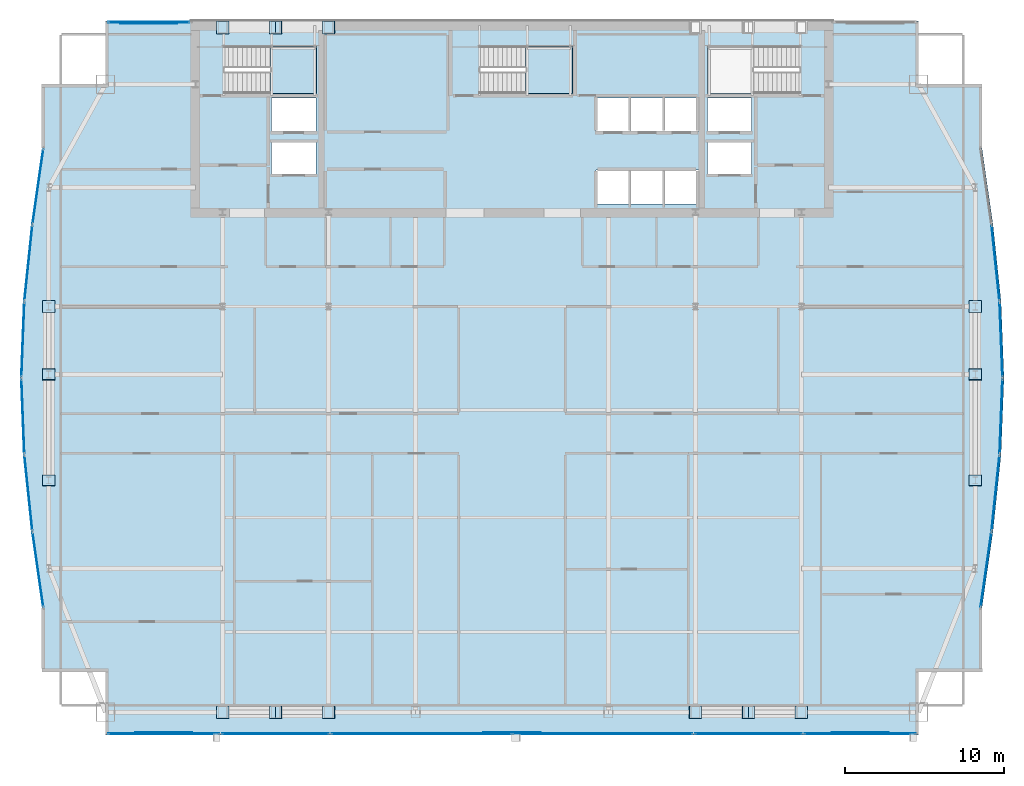
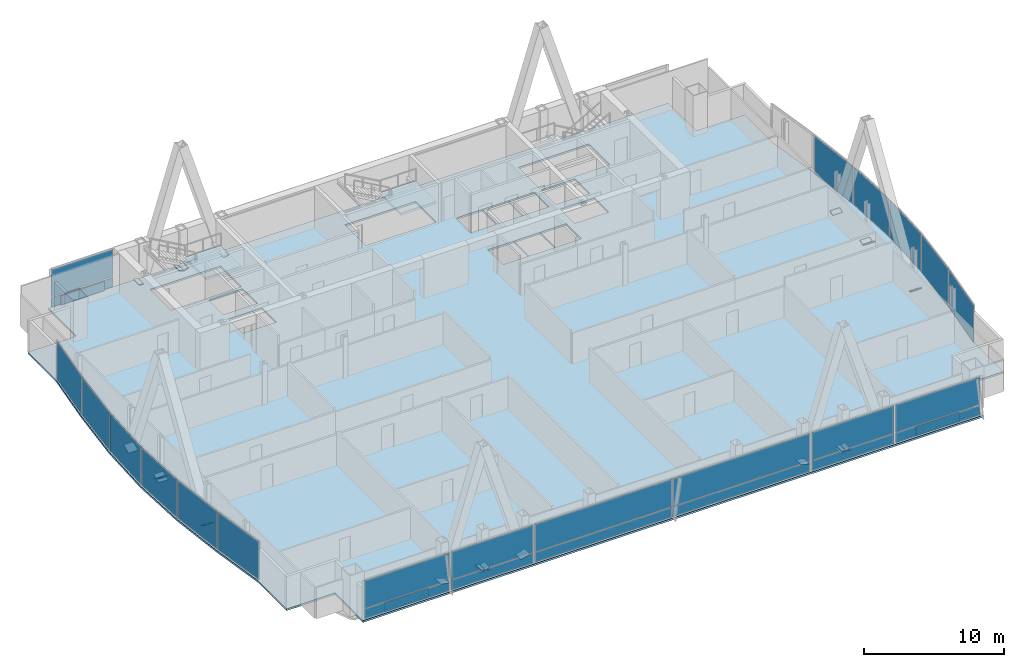
# One storey, part 26 of 32: 49 plates, 3 slabs, 19 elements without a shape of their own.
"""IFC4 building model written with IfcOpenShell, lengths in metres."""

from ifc_helpers import new_model, si_unit, direction, frame, origin, origin_2d, place, context, subcontext, project, spatial, polyline, rectangle, outline, extrude, material, layer, layer_set, type_object, element, aggregate, save


model = new_model("IFC4")

# Units and contexts
model_context = context("Model", 3, precision=1e-05, world=origin(), true_north=direction((0.0, 1.0)))
body_context = subcontext(model_context, "Body", "Model", "MODEL_VIEW")
ifc_project = project(units=[si_unit("LENGTHUNIT", "METRE"), si_unit("AREAUNIT", "SQUARE_METRE"), si_unit("VOLUMEUNIT", "CUBIC_METRE"), si_unit("PLANEANGLEUNIT", "RADIAN"), si_unit("MASSUNIT", "GRAM", prefix="KILO")], contexts=[model_context])

# Site, building, storey
site_placement = place(None, origin())
site = spatial("IfcSite", under=ifc_project, at=site_placement, CompositionType="ELEMENT")
building_placement = place(site_placement, origin())
building = spatial("IfcBuilding", under=site, at=building_placement, Name="Khoronbel Lancet Exchange", CompositionType="ELEMENT")
storey_placement = place(building_placement, frame((0.0, 0.0, 199.39990234375)))
storey = spatial("IfcBuildingStorey", under=building, at=storey_placement, Name="L50", CompositionType="ELEMENT", Elevation=199.39990234375)

# Curtain wall, plate
ifc_material_1 = material(Name="Low-E Solar Control Insulating Glass", Category="glass")
curtain_wall_type_1 = type_object("IfcCurtainWallType", Name="CW-4", PredefinedType="NOTDEFINED", material=ifc_material_1)
curtain_wall_1_placement = place(storey_placement, origin())
curtain_wall_1 = element("IfcCurtainWall", 1, at=curtain_wall_1_placement, inside=storey, type_object=curtain_wall_type_1, Name="Unitised curtain wall CW-L50-E05", PredefinedType="NOTDEFINED")
ifc_material_2 = material(Name="Bronze-Anodised Aluminium 6063-T6", Category="aluminium")
ifc_layer_1 = layer(ifc_material_2, 0.050048828125, Name="Bronze-Anodised Aluminium 6063-T6")
ifc_layer_set_1 = layer_set([ifc_layer_1], Name="Bronze-Anodised Aluminium 6063-T6")
plate_type_1 = type_object("IfcPlateType", Name="PLT-CSP1", PredefinedType="SHEET", material=ifc_layer_set_1)
plate_1_placement = place(storey_placement, frame((5.990234375, 23.958740234375, 0.085205078125), z_axis=(0.0, 0.0, 1.0), x_axis=(-0.104685856606, 0.994505340069, 0.0)))
plate_1 = element("IfcPlate", 2, at=plate_1_placement, type_object=plate_type_1, Name="CW4 panel 1.1", PredefinedType="CURTAIN_PANEL", context=body_context, shape_type="SweptSolid", body=[
    extrude(rectangle(XDim=4.70556640625, YDim=0.0380859375, at=origin_2d()), origin(), (0.0, 0.0, 1.0), 3.27001953125),
])
aggregate(curtain_wall_1, [plate_1])

curtain_wall_2_placement = place(storey_placement, origin())
curtain_wall_2 = element("IfcCurtainWall", 3, at=curtain_wall_2_placement, inside=storey, type_object=curtain_wall_type_1, Name="Unitised curtain wall CW-L50-E06", PredefinedType="NOTDEFINED")
plate_2_placement = place(storey_placement, frame((5.64306640625, 28.78662109375, 0.085205078125), z_axis=(0.0, 0.0, 1.0), x_axis=(-0.038485596441, 0.999259155008, 0.0)))
plate_2 = element("IfcPlate", 4, at=plate_2_placement, type_object=plate_type_1, Name="CW4 panel 1.1", PredefinedType="CURTAIN_PANEL", context=body_context, shape_type="SweptSolid", body=[
    extrude(rectangle(XDim=4.680419921875, YDim=0.0380859375, at=origin_2d()), origin(), (0.0, 0.0, 1.0), 3.27001953125),
])
aggregate(curtain_wall_2, [plate_2])

curtain_wall_3_placement = place(storey_placement, origin())
curtain_wall_3 = element("IfcCurtainWall", 5, at=curtain_wall_3_placement, inside=storey, type_object=curtain_wall_type_1, Name="Unitised curtain wall CW-L50-E07", PredefinedType="NOTDEFINED")
plate_3_placement = place(storey_placement, frame((5.64306640625, 33.61328125, 0.085205078125), z_axis=(0.0, 0.0, 1.0), x_axis=(0.038485596441, 0.999259155008, 0.0)))
plate_3 = element("IfcPlate", 6, at=plate_3_placement, type_object=plate_type_1, Name="CW4 panel 1.1", PredefinedType="CURTAIN_PANEL", context=body_context, shape_type="SweptSolid", body=[
    extrude(rectangle(XDim=4.680419921875, YDim=0.0380859375, at=origin_2d()), origin(), (0.0, 0.0, 1.0), 3.27001953125),
])
aggregate(curtain_wall_3, [plate_3])

curtain_wall_4_placement = place(storey_placement, origin())
curtain_wall_4 = element("IfcCurtainWall", 7, at=curtain_wall_4_placement, inside=storey, type_object=curtain_wall_type_1, Name="Unitised curtain wall CW-L50-E08", PredefinedType="NOTDEFINED")
plate_4_placement = place(storey_placement, frame((5.990234375, 38.441162109375, 0.085205078125), z_axis=(0.0, 0.0, 1.0), x_axis=(0.104685856606, 0.994505340069, 0.0)))
plate_4 = element("IfcPlate", 8, at=plate_4_placement, type_object=plate_type_1, Name="CW4 panel 1.1", PredefinedType="CURTAIN_PANEL", context=body_context, shape_type="SweptSolid", body=[
    extrude(rectangle(XDim=4.70556640625, YDim=0.0380859375, at=origin_2d()), origin(), (0.0, 0.0, 1.0), 3.27001953125),
])
aggregate(curtain_wall_4, [plate_4])

curtain_wall_type_2 = type_object("IfcCurtainWallType", Name="CW-3", PredefinedType="NOTDEFINED", material=ifc_material_1)
curtain_wall_5_placement = place(storey_placement, origin())
curtain_wall_5 = element("IfcCurtainWall", 9, at=curtain_wall_5_placement, inside=storey, type_object=curtain_wall_type_2, Name="Unitised curtain wall CW-L50-NWFLK", PredefinedType="NOTDEFINED")
plate_5_placement = place(storey_placement, frame((13.580078125, 53.550048828125, 0.05029296875), z_axis=(0.0, 0.0, 1.0), x_axis=(-1.0, 0.0, 0.0)))
plate_5 = element("IfcPlate", 10, at=plate_5_placement, type_object=plate_type_1, Name="Insulated bronze spandrel cassette CW-L50-NWFLK", PredefinedType="SHEET", context=body_context, shape_type="SweptSolid", body=[
    extrude(rectangle(XDim=3.60009765625, YDim=0.050048828125, at=origin_2d()), origin(), (0.0, 0.0, 1.0), 0.800048828125),
])

curtain_wall_6_placement = place(storey_placement, origin())
curtain_wall_6 = element("IfcCurtainWall", 11, at=curtain_wall_6_placement, inside=storey, type_object=curtain_wall_type_1, Name="Unitised curtain wall CW-L50-E18", PredefinedType="NOTDEFINED")
plate_6_placement = place(storey_placement, frame((66.90966796875, 38.441162109375, 0.085205078125), z_axis=(0.0, 0.0, 1.0), x_axis=(0.104685856606, -0.994505340069, 0.0)))
plate_6 = element("IfcPlate", 12, at=plate_6_placement, type_object=plate_type_1, Name="CW4 panel 1.1", PredefinedType="CURTAIN_PANEL", context=body_context, shape_type="SweptSolid", body=[
    extrude(rectangle(XDim=4.70556640625, YDim=0.0380859375, at=origin_2d()), origin(), (0.0, 0.0, 1.0), 3.27001953125),
])
aggregate(curtain_wall_6, [plate_6])

curtain_wall_7_placement = place(storey_placement, origin())
curtain_wall_7 = element("IfcCurtainWall", 13, at=curtain_wall_7_placement, inside=storey, type_object=curtain_wall_type_1, Name="Unitised curtain wall CW-L50-E19", PredefinedType="NOTDEFINED")
plate_7_placement = place(storey_placement, frame((67.2568359375, 33.61328125, 0.085205078125), z_axis=(0.0, 0.0, 1.0), x_axis=(0.038485596441, -0.999259155008, 0.0)))
plate_7 = element("IfcPlate", 14, at=plate_7_placement, type_object=plate_type_1, Name="CW4 panel 1.1", PredefinedType="CURTAIN_PANEL", context=body_context, shape_type="SweptSolid", body=[
    extrude(rectangle(XDim=4.680419921875, YDim=0.0380859375, at=origin_2d()), origin(), (0.0, 0.0, 1.0), 3.27001953125),
])
aggregate(curtain_wall_7, [plate_7])

curtain_wall_8_placement = place(storey_placement, origin())
curtain_wall_8 = element("IfcCurtainWall", 15, at=curtain_wall_8_placement, inside=storey, type_object=curtain_wall_type_1, Name="Unitised curtain wall CW-L50-E20", PredefinedType="NOTDEFINED")
plate_8_placement = place(storey_placement, frame((67.2568359375, 28.78662109375, 0.085205078125), z_axis=(0.0, 0.0, 1.0), x_axis=(-0.038485596441, -0.999259155008, 0.0)))
plate_8 = element("IfcPlate", 16, at=plate_8_placement, type_object=plate_type_1, Name="CW4 panel 1.1", PredefinedType="CURTAIN_PANEL", context=body_context, shape_type="SweptSolid", body=[
    extrude(rectangle(XDim=4.680419921875, YDim=0.0380859375, at=origin_2d()), origin(), (0.0, 0.0, 1.0), 3.27001953125),
])
aggregate(curtain_wall_8, [plate_8])

curtain_wall_9_placement = place(storey_placement, origin())
curtain_wall_9 = element("IfcCurtainWall", 17, at=curtain_wall_9_placement, inside=storey, type_object=curtain_wall_type_1, Name="Unitised curtain wall CW-L50-E21", PredefinedType="NOTDEFINED")
plate_9_placement = place(storey_placement, frame((66.90966796875, 23.958740234375, 0.085205078125), z_axis=(0.0, 0.0, 1.0), x_axis=(-0.104685856606, -0.994505340069, 0.0)))
plate_9 = element("IfcPlate", 18, at=plate_9_placement, type_object=plate_type_1, Name="CW4 panel 1.1", PredefinedType="CURTAIN_PANEL", context=body_context, shape_type="SweptSolid", body=[
    extrude(rectangle(XDim=4.70556640625, YDim=0.0380859375, at=origin_2d()), origin(), (0.0, 0.0, 1.0), 3.27001953125),
])
aggregate(curtain_wall_9, [plate_9])

curtain_wall_10_placement = place(storey_placement, origin())
curtain_wall_10 = element("IfcCurtainWall", 19, at=curtain_wall_10_placement, inside=storey, type_object=curtain_wall_type_2, Name="Unitised curtain wall CW-L50-SWV", PredefinedType="NOTDEFINED")
plate_10_placement = place(storey_placement, frame((14.52001953125, 8.85009765625, 0.05029296875), z_axis=(0.0, 0.0, 1.0), x_axis=(1.0, 0.0, 0.0)))
plate_10 = element("IfcPlate", 20, at=plate_10_placement, type_object=plate_type_1, Name="Insulated bronze spandrel cassette CW-L50-SWV", PredefinedType="SHEET", context=body_context, shape_type="SweptSolid", body=[
    extrude(rectangle(XDim=3.60009765625, YDim=0.050048828125, at=origin_2d()), origin(), (0.0, 0.0, 1.0), 0.800048828125),
])

# Curtain wall, plates
curtain_wall_11_placement = place(storey_placement, origin())
curtain_wall_11 = element("IfcCurtainWall", 21, at=curtain_wall_11_placement, inside=storey, type_object=curtain_wall_type_2, Name="Unitised curtain wall CW-L50-SWB", PredefinedType="NOTDEFINED")
plate_11_placement = place(storey_placement, frame((21.550048828125, 8.7900390625, 0.0849609375), z_axis=(0.0, 0.0, 1.0), x_axis=(1.0, 0.0, 0.0)))
plate_11 = element("IfcPlate", 22, at=plate_11_placement, type_object=plate_type_1, Name="CW3 panel 1.1", PredefinedType="CURTAIN_PANEL", context=body_context, shape_type="SweptSolid", body=[
    extrude(rectangle(XDim=6.72998046875, YDim=0.0380859375, at=origin_2d()), origin(), (0.0, 0.0, 1.0), 0.822509765625),
])
plate_12_placement = place(storey_placement, frame((21.550048828125, 8.7900390625, 0.99267578125), z_axis=(0.0, 0.0, 1.0), x_axis=(1.0, 0.0, 0.0)))
plate_12 = element("IfcPlate", 23, at=plate_12_placement, type_object=plate_type_1, Name="CW3 panel 1.2", PredefinedType="CURTAIN_PANEL", context=body_context, shape_type="SweptSolid", body=[
    extrude(rectangle(XDim=6.72998046875, YDim=0.0380859375, at=origin_2d()), origin(), (0.0, 0.0, 1.0), 2.362548828125),
])
aggregate(curtain_wall_11, [plate_11, plate_12])

# Curtain wall, plate
curtain_wall_12_placement = place(storey_placement, origin())
curtain_wall_12 = element("IfcCurtainWall", 24, at=curtain_wall_12_placement, inside=storey, type_object=curtain_wall_type_2, Name="Unitised curtain wall CW-L50-SCV", PredefinedType="NOTDEFINED")
plate_13_placement = place(storey_placement, frame((36.449951171875, 8.85009765625, 0.05029296875), z_axis=(0.0, 0.0, 1.0), x_axis=(1.0, 0.0, 0.0)))
plate_13 = element("IfcPlate", 25, at=plate_13_placement, type_object=plate_type_1, Name="Insulated bronze spandrel cassette CW-L50-SCV", PredefinedType="SHEET", context=body_context, shape_type="SweptSolid", body=[
    extrude(rectangle(XDim=3.60009765625, YDim=0.050048828125, at=origin_2d()), origin(), (0.0, 0.0, 1.0), 0.800048828125),
])

# Curtain wall, plates
curtain_wall_13_placement = place(storey_placement, origin())
curtain_wall_13 = element("IfcCurtainWall", 26, at=curtain_wall_13_placement, inside=storey, type_object=curtain_wall_type_2, Name="Unitised curtain wall CW-L50-SEB", PredefinedType="NOTDEFINED")
plate_14_placement = place(storey_placement, frame((51.35009765625, 8.7900390625, 0.0849609375), z_axis=(0.0, 0.0, 1.0), x_axis=(1.0, 0.0, 0.0)))
plate_14 = element("IfcPlate", 27, at=plate_14_placement, type_object=plate_type_1, Name="CW3 panel 1.1", PredefinedType="CURTAIN_PANEL", context=body_context, shape_type="SweptSolid", body=[
    extrude(rectangle(XDim=6.72998046875, YDim=0.0380859375, at=origin_2d()), origin(), (0.0, 0.0, 1.0), 0.822509765625),
])
plate_15_placement = place(storey_placement, frame((51.35009765625, 8.7900390625, 0.99267578125), z_axis=(0.0, 0.0, 1.0), x_axis=(1.0, 0.0, 0.0)))
plate_15 = element("IfcPlate", 28, at=plate_15_placement, type_object=plate_type_1, Name="CW3 panel 1.2", PredefinedType="CURTAIN_PANEL", context=body_context, shape_type="SweptSolid", body=[
    extrude(rectangle(XDim=6.72998046875, YDim=0.0380859375, at=origin_2d()), origin(), (0.0, 0.0, 1.0), 2.362548828125),
])
aggregate(curtain_wall_13, [plate_14, plate_15])

# Curtain wall, plate
curtain_wall_14_placement = place(storey_placement, origin())
curtain_wall_14 = element("IfcCurtainWall", 29, at=curtain_wall_14_placement, inside=storey, type_object=curtain_wall_type_2, Name="Unitised curtain wall CW-L50-SEV", PredefinedType="NOTDEFINED")
plate_16_placement = place(storey_placement, frame((58.3798828125, 8.85009765625, 0.05029296875), z_axis=(0.0, 0.0, 1.0), x_axis=(1.0, 0.0, 0.0)))
plate_16 = element("IfcPlate", 30, at=plate_16_placement, type_object=plate_type_1, Name="Insulated bronze spandrel cassette CW-L50-SEV", PredefinedType="SHEET", context=body_context, shape_type="SweptSolid", body=[
    extrude(rectangle(XDim=3.60009765625, YDim=0.050048828125, at=origin_2d()), origin(), (0.0, 0.0, 1.0), 0.800048828125),
])

# Plate
ifc_layer_2 = layer(ifc_material_1, 0.035888671875, Name="Low-E Solar Control Insulating Glass")
ifc_layer_set_2 = layer_set([ifc_layer_2], Name="Low-E Solar Control Insulating Glass")
plate_type_2 = type_object("IfcPlateType", Name="PLT-CWP1", PredefinedType="CURTAIN_PANEL", material=ifc_layer_set_2)
plate_17_placement = place(storey_placement, frame((13.580078125, 53.610107421875, 0.0849609375), z_axis=(0.0, 0.0, 1.0), x_axis=(-1.0, 0.0, 0.0)))
plate_17 = element("IfcPlate", 31, at=plate_17_placement, type_object=plate_type_2, Name="CW3 panel 1.1", PredefinedType="CURTAIN_PANEL", context=body_context, shape_type="SweptSolid", body=[
    extrude(rectangle(XDim=5.110107421875, YDim=0.0380859375, at=origin_2d()), origin(), (0.0, 0.0, 1.0), 0.822509765625),
])

plate_18_placement = place(storey_placement, frame((13.580078125, 53.610107421875, 0.99267578125), z_axis=(0.0, 0.0, 1.0), x_axis=(-1.0, 0.0, 0.0)))
plate_18 = element("IfcPlate", 32, at=plate_18_placement, type_object=plate_type_2, Name="CW3 panel 1.2", PredefinedType="CURTAIN_PANEL", context=body_context, shape_type="SweptSolid", body=[
    extrude(rectangle(XDim=5.110107421875, YDim=0.0380859375, at=origin_2d()), origin(), (0.0, 0.0, 1.0), 2.362548828125),
])

aggregate(curtain_wall_5, [plate_17, plate_18, plate_5])

plate_19_placement = place(storey_placement, frame((14.52001953125, 8.7900390625, 0.0849609375), z_axis=(0.0, 0.0, 1.0), x_axis=(1.0, 0.0, 0.0)))
plate_19 = element("IfcPlate", 33, at=plate_19_placement, type_object=plate_type_2, Name="CW3 panel 1.1", PredefinedType="CURTAIN_PANEL", context=body_context, shape_type="SweptSolid", body=[
    extrude(rectangle(XDim=6.989990234375, YDim=0.0380859375, at=origin_2d()), origin(), (0.0, 0.0, 1.0), 0.822509765625),
])

plate_20_placement = place(storey_placement, frame((14.52001953125, 8.7900390625, 0.99267578125), z_axis=(0.0, 0.0, 1.0), x_axis=(1.0, 0.0, 0.0)))
plate_20 = element("IfcPlate", 34, at=plate_20_placement, type_object=plate_type_2, Name="CW3 panel 1.2", PredefinedType="CURTAIN_PANEL", context=body_context, shape_type="SweptSolid", body=[
    extrude(rectangle(XDim=6.989990234375, YDim=0.0380859375, at=origin_2d()), origin(), (0.0, 0.0, 1.0), 2.362548828125),
])

aggregate(curtain_wall_10, [plate_19, plate_20, plate_10])

plate_21_placement = place(storey_placement, frame((30.746337890625, 8.7900390625, 0.0849609375), z_axis=(0.0, 0.0, 1.0), x_axis=(1.0, 0.0, 0.0)))
plate_21 = element("IfcPlate", 35, at=plate_21_placement, type_object=plate_type_2, Name="CW3 panel 1.1", PredefinedType="CURTAIN_PANEL", context=body_context, shape_type="SweptSolid", body=[
    extrude(rectangle(XDim=11.322509765625, YDim=0.0380859375, at=origin_2d()), origin(), (0.0, 0.0, 1.0), 0.822509765625),
])

plate_22_placement = place(storey_placement, frame((30.746337890625, 8.7900390625, 0.99267578125), z_axis=(0.0, 0.0, 1.0), x_axis=(1.0, 0.0, 0.0)))
plate_22 = element("IfcPlate", 36, at=plate_22_placement, type_object=plate_type_2, Name="CW3 panel 1.2", PredefinedType="CURTAIN_PANEL", context=body_context, shape_type="SweptSolid", body=[
    extrude(rectangle(XDim=11.322509765625, YDim=0.0380859375, at=origin_2d()), origin(), (0.0, 0.0, 1.0), 2.362548828125),
])

plate_23_placement = place(storey_placement, frame((42.15380859375, 8.7900390625, 0.0849609375), z_axis=(0.0, 0.0, 1.0), x_axis=(1.0, 0.0, 0.0)))
plate_23 = element("IfcPlate", 37, at=plate_23_placement, type_object=plate_type_2, Name="CW3 panel 2.1", PredefinedType="CURTAIN_PANEL", context=body_context, shape_type="SweptSolid", body=[
    extrude(rectangle(XDim=11.322509765625, YDim=0.0380859375, at=origin_2d()), origin(), (0.0, 0.0, 1.0), 0.822509765625),
])

plate_24_placement = place(storey_placement, frame((42.15380859375, 8.7900390625, 0.99267578125), z_axis=(0.0, 0.0, 1.0), x_axis=(1.0, 0.0, 0.0)))
plate_24 = element("IfcPlate", 38, at=plate_24_placement, type_object=plate_type_2, Name="CW3 panel 2.2", PredefinedType="CURTAIN_PANEL", context=body_context, shape_type="SweptSolid", body=[
    extrude(rectangle(XDim=11.322509765625, YDim=0.0380859375, at=origin_2d()), origin(), (0.0, 0.0, 1.0), 2.362548828125),
])

aggregate(curtain_wall_12, [plate_21, plate_22, plate_23, plate_24, plate_13])

plate_25_placement = place(storey_placement, frame((58.3798828125, 8.7900390625, 0.0849609375), z_axis=(0.0, 0.0, 1.0), x_axis=(1.0, 0.0, 0.0)))
plate_25 = element("IfcPlate", 39, at=plate_25_placement, type_object=plate_type_2, Name="CW3 panel 1.1", PredefinedType="CURTAIN_PANEL", context=body_context, shape_type="SweptSolid", body=[
    extrude(rectangle(XDim=6.989990234375, YDim=0.0380859375, at=origin_2d()), origin(), (0.0, 0.0, 1.0), 0.822509765625),
])

plate_26_placement = place(storey_placement, frame((58.3798828125, 8.7900390625, 0.99267578125), z_axis=(0.0, 0.0, 1.0), x_axis=(1.0, 0.0, 0.0)))
plate_26 = element("IfcPlate", 40, at=plate_26_placement, type_object=plate_type_2, Name="CW3 panel 1.2", PredefinedType="CURTAIN_PANEL", context=body_context, shape_type="SweptSolid", body=[
    extrude(rectangle(XDim=6.989990234375, YDim=0.0380859375, at=origin_2d()), origin(), (0.0, 0.0, 1.0), 2.362548828125),
])

aggregate(curtain_wall_14, [plate_25, plate_26, plate_16])

# Curtain wall, plate
curtain_wall_15_placement = place(storey_placement, origin())
curtain_wall_15 = element("IfcCurtainWall", 41, at=curtain_wall_15_placement, inside=storey, type_object=curtain_wall_type_1, Name="Unitised curtain wall CW-L50-E04", PredefinedType="NOTDEFINED")
ifc_material_3 = material(Name="Ceramic-Fritted Laminated Insulating Glass", Category="glass")
ifc_layer_3 = layer(ifc_material_3, 0.0419921875, Name="Ceramic-Fritted Laminated Insulating Glass")
ifc_layer_set_3 = layer_set([ifc_layer_3], Name="Ceramic-Fritted Laminated Insulating Glass")
plate_type_3 = type_object("IfcPlateType", Name="PLT-CWP2", PredefinedType="CURTAIN_PANEL", material=ifc_layer_set_3)
plate_27_placement = place(storey_placement, frame((6.59228515625, 19.12548828125, 0.085205078125), z_axis=(0.0, 0.0, 1.0), x_axis=(-0.142314961279, 0.989821424195, 0.0)))
plate_27 = element("IfcPlate", 42, at=plate_27_placement, type_object=plate_type_3, Name="CW4 panel 1.1", PredefinedType="CURTAIN_PANEL", context=body_context, shape_type="SweptSolid", body=[
    extrude(rectangle(XDim=4.73779296875, YDim=0.0380859375, at=origin_2d()), origin(), (0.0, 0.0, 1.0), 3.27001953125),
])
aggregate(curtain_wall_15, [plate_27])

curtain_wall_16_placement = place(storey_placement, origin())
curtain_wall_16 = element("IfcCurtainWall", 43, at=curtain_wall_16_placement, inside=storey, type_object=curtain_wall_type_1, Name="Unitised curtain wall CW-L50-E09", PredefinedType="NOTDEFINED")
plate_28_placement = place(storey_placement, frame((6.59228515625, 43.274658203125, 0.085205078125), z_axis=(0.0, 0.0, 1.0), x_axis=(0.142314961279, 0.989821424195, 0.0)))
plate_28 = element("IfcPlate", 44, at=plate_28_placement, type_object=plate_type_3, Name="CW4 panel 1.1", PredefinedType="CURTAIN_PANEL", context=body_context, shape_type="SweptSolid", body=[
    extrude(rectangle(XDim=4.73779296875, YDim=0.0380859375, at=origin_2d()), origin(), (0.0, 0.0, 1.0), 3.27001953125),
])
aggregate(curtain_wall_16, [plate_28])

curtain_wall_17_placement = place(storey_placement, origin())
curtain_wall_17 = element("IfcCurtainWall", 45, at=curtain_wall_17_placement, inside=storey, type_object=curtain_wall_type_1, Name="Unitised curtain wall CW-L50-E22", PredefinedType="NOTDEFINED")
plate_29_placement = place(storey_placement, frame((66.307861328125, 19.12548828125, 0.085205078125), z_axis=(0.0, 0.0, 1.0), x_axis=(-0.142314961279, -0.989821424195, 0.0)))
plate_29 = element("IfcPlate", 46, at=plate_29_placement, type_object=plate_type_3, Name="CW4 panel 1.1", PredefinedType="CURTAIN_PANEL", context=body_context, shape_type="SweptSolid", body=[
    extrude(rectangle(XDim=4.73779296875, YDim=0.0380859375, at=origin_2d()), origin(), (0.0, 0.0, 1.0), 3.27001953125),
])
aggregate(curtain_wall_17, [plate_29])

# Plates
ifc_material_4 = material(Name="Steel S460", Category="steel")
ifc_layer_4 = layer(ifc_material_4, 0.044921875, Name="Steel S460")
ifc_layer_set_4 = layer_set([ifc_layer_4], Name="Steel S460")
plate_type_4 = type_object("IfcPlateType", Name="PLT-ECP1", PredefinedType="USERDEFINED", material=ifc_layer_set_4)
for number, where, z_axis, x_axis, name in (
    (47, (21.954345703125, 9.75, -0.08642578125), (0.295179616828, 0.0, 0.955441779393), (0.0, 1.0, 0.0), "Hollow end cap plate PLT-CAP-MEM-MB-T16-S-W-L-1"),
    (48, (21.170654296875, 10.550048828125, -0.08642578125), (-0.295179616828, 0.0, 0.955441779393), (0.0, -1.0, 0.0), "Hollow end cap plate PLT-CAP-MEM-MB-T16-S-W-R-1"),
):
    element("IfcPlate", number, at=place(storey_placement, frame(where, z_axis=z_axis, x_axis=x_axis)), inside=storey, type_object=plate_type_4, Name=name, ObjectType="STIFFENER_PLATE", PredefinedType="USERDEFINED", context=body_context, shape_type="SweptSolid", body=[
        extrude(outline(polyline([(0.0, 0.0), (0.800048828125, 0.0), (0.800048828125, 0.7998046875), (0.0, 0.7998046875), (0.0, 0.0)])), origin(), (0.0, 0.0, -1.0), 0.044921875),
    ])
for number, where, z_axis, x_axis, name in (
    (49, (51.7294921875, 9.75, -0.08642578125), (0.295093551173, 0.0, 0.955468364759), (0.0, 1.0, 0.0), "Hollow end cap plate PLT-CAP-MEM-MB-T16-S-E-L-1"),
    (50, (50.945556640625, 10.550048828125, -0.08642578125), (-0.295093551173, 0.0, 0.955468364759), (0.0, -1.0, 0.0), "Hollow end cap plate PLT-CAP-MEM-MB-T16-S-E-R-1"),
):
    element("IfcPlate", number, at=place(storey_placement, frame(where, z_axis=z_axis, x_axis=x_axis)), inside=storey, type_object=plate_type_4, Name=name, ObjectType="STIFFENER_PLATE", PredefinedType="USERDEFINED", context=body_context, shape_type="SweptSolid", body=[
        extrude(outline(polyline([(0.0, 0.0), (0.800048828125, 0.0), (0.800048828125, 0.800048828125), (0.0, 0.800048828125), (0.0, 0.0)])), origin(), (0.0, 0.0, -1.0), 0.044921875),
    ])
for number, where, z_axis, x_axis, name in (
    (51, (21.954345703125, 52.8798828125, -0.08642578125), (0.295179616828, 0.0, 0.955441779393), (0.0, 1.0, 0.0), "Hollow end cap plate PLT-CAP-MEM-MB-T16-N-W-L-1"),
    (52, (21.170654296875, 53.679931640625, -0.08642578125), (-0.295179616828, 0.0, 0.955441779393), (0.0, -1.0, 0.0), "Hollow end cap plate PLT-CAP-MEM-MB-T16-N-W-R-1"),
):
    element("IfcPlate", number, at=place(storey_placement, frame(where, z_axis=z_axis, x_axis=x_axis)), inside=storey, type_object=plate_type_4, Name=name, ObjectType="STIFFENER_PLATE", PredefinedType="USERDEFINED", context=body_context, shape_type="SweptSolid", body=[
        extrude(outline(polyline([(0.0, 0.0), (0.800048828125, 0.0), (0.800048828125, 0.7998046875), (0.0, 0.7998046875), (0.0, 0.0)])), origin(), (0.0, 0.0, -1.0), 0.044921875),
    ])
plate_30_placement = place(storey_placement, frame((7.669921875, 31.78271484375, -0.18212890625), z_axis=(0.0, 0.525713722958, 0.850661555199), x_axis=(-1.0, 0.0, 0.0)))
element("IfcPlate", 53, at=plate_30_placement, inside=storey, type_object=plate_type_4, Name="Hollow end cap plate PLT-CAP-MEM-MB-T16-W-P-L-1", ObjectType="STIFFENER_PLATE", PredefinedType="USERDEFINED", context=body_context, shape_type="SweptSolid", body=[
    extrude(outline(polyline([(0.0, 0.0), (0.7998046875, 0.0), (0.7998046875, 0.800048828125), (0.0, 0.800048828125), (0.0, 0.0)])), origin(), (0.0, 0.0, -1.0), 0.044921875),
])
plate_31_placement = place(storey_placement, frame((6.8701171875, 31.041015625, -0.116455078125), z_axis=(0.0, -0.368125419582, 0.929776142659), x_axis=(1.0, 0.0, 0.0)))
element("IfcPlate", 54, at=plate_31_placement, inside=storey, type_object=plate_type_4, Name="Hollow end cap plate PLT-CAP-MEM-MB-T16-W-P-R-1", ObjectType="STIFFENER_PLATE", PredefinedType="USERDEFINED", context=body_context, shape_type="SweptSolid", body=[
    extrude(outline(polyline([(0.0, 0.0), (0.7998046875, 0.0), (0.7998046875, 0.7998046875), (0.0, 0.7998046875), (0.0, 0.0)])), origin(), (0.0, 0.0, -1.0), 0.044921875),
])
plate_32_placement = place(storey_placement, frame((66.030029296875, 31.78271484375, -0.18212890625), z_axis=(0.0, 0.525713722958, 0.850661555199), x_axis=(-1.0, 0.0, 0.0)))
element("IfcPlate", 55, at=plate_32_placement, inside=storey, type_object=plate_type_4, Name="Hollow end cap plate PLT-CAP-MEM-MB-T16-E-P-L-1", ObjectType="STIFFENER_PLATE", PredefinedType="USERDEFINED", context=body_context, shape_type="SweptSolid", body=[
    extrude(outline(polyline([(0.0, 0.0), (0.800048828125, 0.0), (0.800048828125, 0.800048828125), (0.0, 0.800048828125), (0.0, 0.0)])), origin(), (0.0, 0.0, -1.0), 0.044921875),
])
for number, where, z_axis, x_axis, name in (
    (56, (65.22998046875, 31.041015625, -0.116455078125), (0.0, -0.368125419582, 0.929776142659), (1.0, 0.0, 0.0), "Hollow end cap plate PLT-CAP-MEM-MB-T16-E-P-R-1"),
    (57, (18.610595703125, 9.75, -0.1064453125), (0.295179616828, 0.0, 0.955441779393), (0.0, 1.0, 0.0), "Hollow end cap plate PLT-CAP-MEM-MB-T17-S-W-L-0"),
    (58, (24.514404296875, 10.550048828125, -0.1064453125), (-0.295179616828, 0.0, 0.955441779393), (0.0, -1.0, 0.0), "Hollow end cap plate PLT-CAP-MEM-MB-T17-S-W-R-0"),
):
    element("IfcPlate", number, at=place(storey_placement, frame(where, z_axis=z_axis, x_axis=x_axis)), inside=storey, type_object=plate_type_4, Name=name, ObjectType="STIFFENER_PLATE", PredefinedType="USERDEFINED", context=body_context, shape_type="SweptSolid", body=[
        extrude(outline(polyline([(0.0, 0.0), (0.800048828125, 0.0), (0.800048828125, 0.7998046875), (0.0, 0.7998046875), (0.0, 0.0)])), origin(), (0.0, 0.0, -1.0), 0.044921875),
    ])
for number, where, z_axis, x_axis, name in (
    (59, (48.3857421875, 9.75, -0.1064453125), (0.295093551173, 0.0, 0.955468364759), (0.0, 1.0, 0.0), "Hollow end cap plate PLT-CAP-MEM-MB-T17-S-E-L-0"),
    (60, (54.289306640625, 10.550048828125, -0.1064453125), (-0.295093551173, 0.0, 0.955468364759), (0.0, -1.0, 0.0), "Hollow end cap plate PLT-CAP-MEM-MB-T17-S-E-R-0"),
):
    element("IfcPlate", number, at=place(storey_placement, frame(where, z_axis=z_axis, x_axis=x_axis)), inside=storey, type_object=plate_type_4, Name=name, ObjectType="STIFFENER_PLATE", PredefinedType="USERDEFINED", context=body_context, shape_type="SweptSolid", body=[
        extrude(outline(polyline([(0.0, 0.0), (0.800048828125, 0.0), (0.800048828125, 0.800048828125), (0.0, 0.800048828125), (0.0, 0.0)])), origin(), (0.0, 0.0, -1.0), 0.044921875),
    ])
for number, where, z_axis, x_axis, name in (
    (61, (18.610595703125, 52.8798828125, -0.1064453125), (0.295179616828, 0.0, 0.955441779393), (0.0, 1.0, 0.0), "Hollow end cap plate PLT-CAP-MEM-MB-T17-N-W-L-0"),
    (62, (24.514404296875, 53.679931640625, -0.1064453125), (-0.295179616828, 0.0, 0.955441779393), (0.0, -1.0, 0.0), "Hollow end cap plate PLT-CAP-MEM-MB-T17-N-W-R-0"),
):
    element("IfcPlate", number, at=place(storey_placement, frame(where, z_axis=z_axis, x_axis=x_axis)), inside=storey, type_object=plate_type_4, Name=name, ObjectType="STIFFENER_PLATE", PredefinedType="USERDEFINED", context=body_context, shape_type="SweptSolid", body=[
        extrude(outline(polyline([(0.0, 0.0), (0.800048828125, 0.0), (0.800048828125, 0.7998046875), (0.0, 0.7998046875), (0.0, 0.0)])), origin(), (0.0, 0.0, -1.0), 0.044921875),
    ])
for number, where, z_axis, x_axis, name in (
    (63, (7.669921875, 25.0966796875, -0.199951171875), (0.0, 0.525713722958, 0.850661555199), (-1.0, 0.0, 0.0), "Hollow end cap plate PLT-CAP-MEM-MB-T17-W-P-L-0"),
    (64, (6.8701171875, 35.32373046875, -0.135986328125), (0.0, -0.368020969419, 0.92981749073), (1.0, 0.0, 0.0), "Hollow end cap plate PLT-CAP-MEM-MB-T17-W-P-R-0"),
):
    element("IfcPlate", number, at=place(storey_placement, frame(where, z_axis=z_axis, x_axis=x_axis)), inside=storey, type_object=plate_type_4, Name=name, ObjectType="STIFFENER_PLATE", PredefinedType="USERDEFINED", context=body_context, shape_type="SweptSolid", body=[
        extrude(outline(polyline([(0.0, 0.0), (0.7998046875, 0.0), (0.7998046875, 0.800048828125), (0.0, 0.800048828125), (0.0, 0.0)])), origin(), (0.0, 0.0, -1.0), 0.044921875),
    ])
for number, where, z_axis, x_axis, name in (
    (65, (66.030029296875, 25.0966796875, -0.199951171875), (0.0, 0.525713722958, 0.850661555199), (-1.0, 0.0, 0.0), "Hollow end cap plate PLT-CAP-MEM-MB-T17-E-P-L-0"),
    (66, (65.22998046875, 35.32373046875, -0.135986328125), (0.0, -0.368020969419, 0.92981749073), (1.0, 0.0, 0.0), "Hollow end cap plate PLT-CAP-MEM-MB-T17-E-P-R-0"),
):
    element("IfcPlate", number, at=place(storey_placement, frame(where, z_axis=z_axis, x_axis=x_axis)), inside=storey, type_object=plate_type_4, Name=name, ObjectType="STIFFENER_PLATE", PredefinedType="USERDEFINED", context=body_context, shape_type="SweptSolid", body=[
        extrude(outline(polyline([(0.0, 0.0), (0.800048828125, 0.0), (0.800048828125, 0.800048828125), (0.0, 0.800048828125), (0.0, 0.0)])), origin(), (0.0, 0.0, -1.0), 0.044921875),
    ])

# Slab
ifc_material_5 = material(Name="Concrete C40/50", Category="concrete")
ifc_layer_5 = layer(ifc_material_5, 0.159912109375, Name="Concrete C40/50")
ifc_layer_set_5 = layer_set([ifc_layer_5], Name="Concrete C40/50")
slab_type_1 = type_object("IfcSlabType", Name="SL-FL160", PredefinedType="FLOOR", material=ifc_layer_set_5)
slab_1_placement = place(storey_placement, frame((0.0, 0.0, -0.159912109375)))
element("IfcSlab", 67, at=slab_1_placement, inside=storey, type_object=slab_type_1, Name="Level L50 composite structural floor slab", PredefinedType="FLOOR", context=body_context, shape_type="SweptSolid", body=[
    extrude(outline(polyline([(10.85009765625, 8.699951171875), (62.050048828125, 8.699951171875), (62.050048828125, 12.699951171875), (66.050048828125, 12.699951171875), (66.050048828125, 16.699951171875), (66.744873046875, 21.533203125), (67.253662109375, 26.36669921875), (67.43994140625, 31.199951171875), (67.253662109375, 36.033203125), (66.744873046875, 40.86669921875), (66.050048828125, 45.699951171875), (66.050048828125, 49.699951171875), (62.050048828125, 49.699951171875), (62.050048828125, 53.699951171875), (10.85009765625, 53.699951171875), (10.85009765625, 49.699951171875), (6.85009765625, 49.699951171875), (6.85009765625, 45.699951171875), (6.155029296875, 40.86669921875), (5.646240234375, 36.033203125), (5.460205078125, 31.199951171875), (5.646240234375, 26.36669921875), (6.155029296875, 21.533203125), (6.85009765625, 16.699951171875), (6.85009765625, 12.699951171875), (10.85009765625, 12.699951171875), (10.85009765625, 8.699951171875)]), holes=[polyline([(18.324951171875, 49.1201171875), (24.14990234375, 49.1201171875), (24.14990234375, 52.10009765625), (18.324951171875, 52.10009765625), (18.324951171875, 49.1201171875)]), polyline([(48.75, 49.1201171875), (54.574951171875, 49.1201171875), (54.574951171875, 52.10009765625), (48.75, 52.10009765625), (48.75, 49.1201171875)]), polyline([(34.425048828125, 49.1201171875), (40.25, 49.1201171875), (40.25, 52.10009765625), (34.425048828125, 52.10009765625), (34.425048828125, 49.1201171875)]), polyline([(41.739990234375, 46.75), (43.8798828125, 46.75), (43.8798828125, 48.85009765625), (41.739990234375, 48.85009765625), (41.739990234375, 46.75)]), polyline([(43.89990234375, 46.75), (46.0400390625, 46.75), (46.0400390625, 48.85009765625), (43.89990234375, 48.85009765625), (43.89990234375, 46.75)]), polyline([(46.06005859375, 46.75), (48.199951171875, 46.75), (48.199951171875, 48.85009765625), (46.06005859375, 48.85009765625), (46.06005859375, 46.75)]), polyline([(41.739990234375, 42.14990234375), (43.8798828125, 42.14990234375), (43.8798828125, 44.300048828125), (41.739990234375, 44.300048828125), (41.739990234375, 42.14990234375)]), polyline([(43.89990234375, 42.14990234375), (46.0400390625, 42.14990234375), (46.0400390625, 44.300048828125), (43.89990234375, 44.300048828125), (43.89990234375, 42.14990234375)]), polyline([(46.06005859375, 42.14990234375), (48.199951171875, 42.14990234375), (48.199951171875, 44.300048828125), (46.06005859375, 44.300048828125), (46.06005859375, 42.14990234375)]), polyline([(21.300048828125, 46.75), (24.10009765625, 46.75), (24.10009765625, 48.85009765625), (21.300048828125, 48.85009765625), (21.300048828125, 46.75)]), polyline([(48.75, 46.75), (51.550048828125, 46.75), (51.550048828125, 48.85009765625), (48.75, 48.85009765625), (48.75, 46.75)]), polyline([(21.300048828125, 44.050048828125), (24.10009765625, 44.050048828125), (24.10009765625, 46.050048828125), (21.300048828125, 46.050048828125), (21.300048828125, 44.050048828125)]), polyline([(48.75, 44.050048828125), (51.550048828125, 44.050048828125), (51.550048828125, 46.050048828125), (48.75, 46.050048828125), (48.75, 44.050048828125)])]), origin(), (0.0, 0.0, 1.0), 0.159912109375),
])

# Stair, slab
stair_type = type_object("IfcStairType", Name="STR-CORE150", PredefinedType="HALF_TURN_STAIR", material=ifc_material_5)
stair_1_placement = place(storey_placement, origin())
stair_1 = element("IfcStair", 68, at=stair_1_placement, inside=storey, type_object=stair_type, Name="L50 Protected Exit Stair ST1", PredefinedType="HALF_TURN_STAIR")
ifc_layer_6 = layer(ifc_material_5, 0.199951171875, Name="Concrete C40/50")
ifc_layer_set_6 = layer_set([ifc_layer_6], Name="Concrete C40/50")
slab_type_2 = type_object("IfcSlabType", Name="SL-LND180", PredefinedType="LANDING", material=ifc_layer_set_6)
slab_2_placement = place(storey_placement, frame((0.0, 0.0, 1.60009765625)))
slab_2 = element("IfcSlab", 69, at=slab_2_placement, type_object=slab_type_2, Name="ST1 landing 1", PredefinedType="LANDING", context=body_context, shape_type="SweptSolid", body=[
    extrude(outline(polyline([(21.199951171875, 49.1201171875), (24.14990234375, 49.1201171875), (24.14990234375, 52.10009765625), (21.199951171875, 52.10009765625), (21.199951171875, 49.1201171875)])), origin(), (0.0, 0.0, 1.0), 0.199951171875),
])
aggregate(stair_1, [slab_2])

stair_2_placement = place(storey_placement, origin())
stair_2 = element("IfcStair", 70, at=stair_2_placement, inside=storey, type_object=stair_type, Name="L50 Protected Exit Stair ST3", PredefinedType="HALF_TURN_STAIR")
slab_3_placement = place(storey_placement, frame((0.0, 0.0, 1.60009765625)))
slab_3 = element("IfcSlab", 71, at=slab_3_placement, type_object=slab_type_2, Name="ST3 landing 1", PredefinedType="LANDING", context=body_context, shape_type="SweptSolid", body=[
    extrude(outline(polyline([(37.300048828125, 49.1201171875), (40.25, 49.1201171875), (40.25, 52.10009765625), (37.300048828125, 52.10009765625), (37.300048828125, 49.1201171875)])), origin(), (0.0, 0.0, 1.0), 0.199951171875),
])
aggregate(stair_2, [slab_3])

save(model, "model.ifc")
